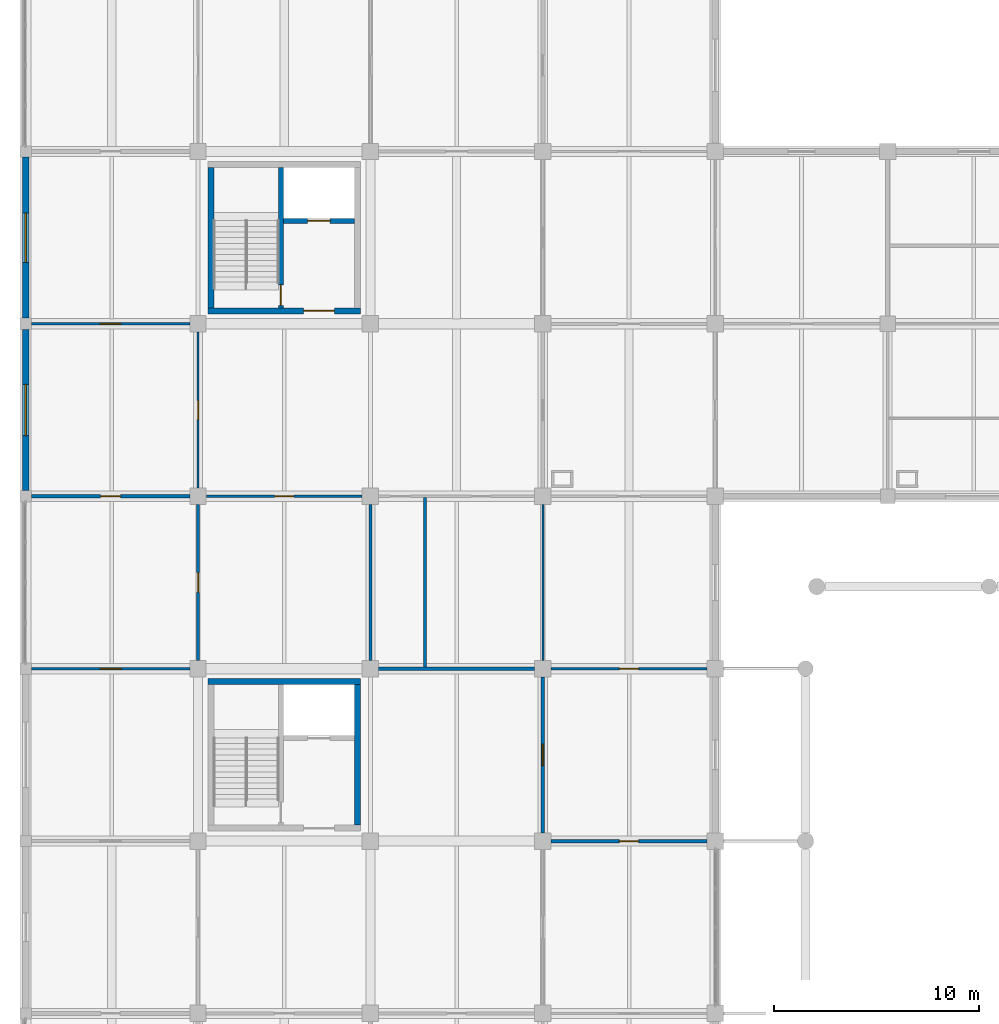
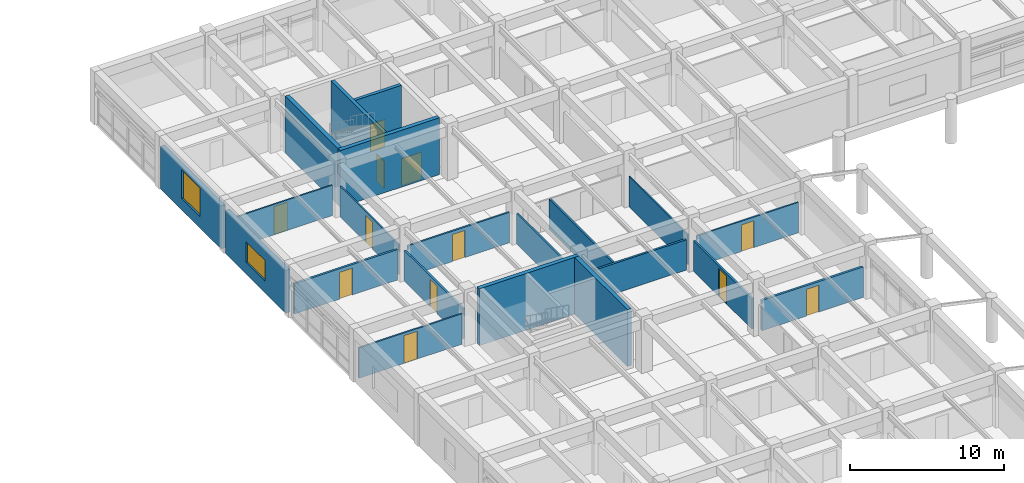
# One storey, part 81 of 99: 21 walls, 12 doors, 2 windows, 14 openings.
"""IFC4 building model written with IfcOpenShell, lengths in metres."""

from ifc_helpers import new_model, si_unit, direction, frame, frame_2d, origin, place, context, subcontext, project, spatial, rectangle, extrude, material, layer, layer_set, type_object, element, fill, save


model = new_model("IFC4")

# Units and contexts
model_context = context("Model", 3, precision=1e-05, world=origin(), true_north=direction((0.0, 1.0)))
body_context = subcontext(model_context, "Body", "Model", "MODEL_VIEW")
ifc_project = project(units=[si_unit("LENGTHUNIT", "METRE"), si_unit("AREAUNIT", "SQUARE_METRE"), si_unit("VOLUMEUNIT", "CUBIC_METRE"), si_unit("PLANEANGLEUNIT", "RADIAN"), si_unit("MASSUNIT", "GRAM", prefix="KILO")], contexts=[model_context])

# Site, building, storey
site_placement = place(None, origin())
site = spatial("IfcSite", under=ifc_project, at=site_placement, CompositionType="ELEMENT")
building_placement = place(site_placement, origin())
building = spatial("IfcBuilding", under=site, at=building_placement, Name="Porcellanite Civic Hall", CompositionType="ELEMENT")
storey_placement = place(building_placement, frame((0.0, 0.0, 5.760009765625)))
storey = spatial("IfcBuildingStorey", under=building, at=storey_placement, Name="L01", CompositionType="ELEMENT", Elevation=5.760009765625)

# Wall, opening, door
ifc_material_1 = material(Name="Concrete N40 (40 MPa)", Category="concrete")
ifc_layer_1 = layer(ifc_material_1, 0.239990234375)
ifc_layer_set_1 = layer_set([ifc_layer_1], Name="Concrete N40 (40 MPa)")
wall_type_1 = type_object("IfcWallType", Name="CW-SH240", PredefinedType="SHEAR", material=ifc_layer_set_1)
wall_1_placement = place(storey_placement, frame((12.43994140625, 59.580078125, 0.0), z_axis=(0.0, 0.0, 1.0), x_axis=(0.0, 1.0, 0.0)))
wall_1 = element("IfcWall", 1, at=wall_1_placement, inside=storey, type_object=wall_type_1, Name="Core divider C2 L01", PredefinedType="SHEAR", context=body_context, shape_type="SweptSolid", body=[
    extrude(rectangle(XDim=6.83984375, YDim=0.239990234375, at=frame_2d((3.419921875, 0.0))), origin(), (0.0, 0.0, 1.0), 4.5),
])
opening_1_placement = place(wall_1_placement, frame((0.1201171875, 0.0, 0.0)))
opening_1 = element("IfcOpeningElement", 2, at=opening_1_placement, cuts=wall_1, Name="Opening FD-C2-L01-ST", PredefinedType="OPENING", context=body_context, shape_type="SweptSolid", body=[
    extrude(rectangle(XDim=1.0, YDim=2.14990234375, at=frame_2d((0.5, 1.074951171875))), frame((0.0, 0.1201171875, 0.0), z_axis=(0.0, -1.0, 0.0), x_axis=(1.0, 0.0, 0.0)), (0.0, 0.0, 1.0), 0.239990234375),
])
ifc_material_2 = material(Name="Fire-rated solid-core hardwood timber", Category="wood")
door_type_1 = type_object("IfcDoorType", Name="DR-FD100", OperationType="NOTDEFINED", PredefinedType="DOOR", material=ifc_material_2)
door_1_placement = place(opening_1_placement, origin())
door_1 = element("IfcDoor", 3, at=door_1_placement, inside=storey, type_object=door_type_1, Name="Fire stair door FD-C2-L01-ST", OperationType="SINGLE_SWING_LEFT", OverallHeight=2.14990234375, OverallWidth=1.0, PredefinedType="DOOR", context=body_context, shape_type="SweptSolid", body=[
    extrude(rectangle(XDim=1.0, YDim=2.14990234375, at=frame_2d((0.5, 1.074951171875))), frame((0.0, 0.02490234375, 0.0), z_axis=(0.0, -1.0, 0.0), x_axis=(1.0, 0.0, 0.0)), (0.0, 0.0, 1.0), 0.050048828125),
])
fill(opening_1, door_1)

wall_2_placement = place(storey_placement, frame((12.56005859375, 63.820068359375, 0.0), z_axis=(0.0, 0.0, 1.0), x_axis=(1.0, 0.0, 0.0)))
wall_2 = element("IfcWall", 4, at=wall_2_placement, inside=storey, type_object=wall_type_1, Name="Lift shaft wall C2 L01", PredefinedType="SHEAR", context=body_context, shape_type="SweptSolid", body=[
    extrude(rectangle(XDim=3.4599609375, YDim=0.239990234375, at=frame_2d((1.72998046875, 0.0))), origin(), (0.0, 0.0, 1.0), 4.5),
])
opening_2_placement = place(wall_2_placement, frame((1.179931640625, 0.0, 0.0)))
opening_2 = element("IfcOpeningElement", 5, at=opening_2_placement, cuts=wall_2, Name="Opening LD-04", PredefinedType="OPENING", context=body_context, shape_type="SweptSolid", body=[
    extrude(rectangle(XDim=1.10009765625, YDim=2.14990234375, at=frame_2d((0.550048828125, 1.074951171875))), frame((0.0, 0.1201171875, 0.0), z_axis=(0.0, -1.0, 0.0), x_axis=(1.0, 0.0, 0.0)), (0.0, 0.0, 1.0), 0.239990234375),
])
ifc_material_3 = material(Name="Brushed stainless steel 316", Category="steel")
door_type_2 = type_object("IfcDoorType", Name="DR-LD110", OperationType="DOUBLE_DOOR_SLIDING", PredefinedType="DOOR", material=ifc_material_3)
door_2_placement = place(opening_2_placement, origin())
door_2 = element("IfcDoor", 6, at=door_2_placement, inside=storey, type_object=door_type_2, Name="Lift landing sliding door LD-04 L01", OperationType="DOUBLE_DOOR_SLIDING", OverallHeight=2.14990234375, OverallWidth=1.10009765625, PredefinedType="DOOR", context=body_context, shape_type="SweptSolid", body=[
    extrude(rectangle(XDim=1.10009765625, YDim=2.14990234375, at=frame_2d((0.550048828125, 1.074951171875))), frame((0.0, 0.02490234375, 0.0), z_axis=(0.0, -1.0, 0.0), x_axis=(1.0, 0.0, 0.0)), (0.0, 0.0, 1.0), 0.050048828125),
])
fill(opening_2, door_2)

# Walls
ifc_material_4 = material(Name="Concrete N40 (40 MPa)", Category="concrete")
ifc_layer_2 = layer(ifc_material_4, 0.300048828125)
ifc_layer_set_2 = layer_set([ifc_layer_2], Name="Concrete N40 (40 MPa)")
wall_type_2 = type_object("IfcWallType", Name="CW-SH300", PredefinedType="SHEAR", material=ifc_layer_set_2)
wall_3_placement = place(storey_placement, frame((8.8798828125, 41.3701171875, 0.0), z_axis=(0.0, 0.0, 1.0), x_axis=(1.0, 0.0, 0.0)))
element("IfcWall", 7, at=wall_3_placement, inside=storey, type_object=wall_type_2, Name="Core wall C1 L01 N", PredefinedType="SHEAR", context=body_context, shape_type="SweptSolid", body=[
    extrude(rectangle(XDim=7.440185546875, YDim=0.300048828125, at=frame_2d((3.72021484375, 0.0))), origin(), (0.0, 0.0, 1.0), 4.5),
])
wall_4_placement = place(storey_placement, frame((16.169921875, 41.219970703125, 0.0), z_axis=(0.0, 0.0, 1.0), x_axis=(0.0, -1.0, 0.0)))
element("IfcWall", 8, at=wall_4_placement, inside=storey, type_object=wall_type_2, Name="Core wall C1 L01 E", PredefinedType="SHEAR", context=body_context, shape_type="SweptSolid", body=[
    extrude(rectangle(XDim=6.840087890625, YDim=0.300048828125, at=frame_2d((3.419921875, 0.0))), origin(), (0.0, 0.0, 1.0), 4.5),
])

# Wall, opening, door
wall_5_placement = place(storey_placement, frame((16.320068359375, 59.429931640625, 0.0), z_axis=(0.0, 0.0, 1.0), x_axis=(-1.0, 0.0, 0.0)))
wall_5 = element("IfcWall", 9, at=wall_5_placement, inside=storey, type_object=wall_type_2, Name="Core wall C2 L01 S", PredefinedType="SHEAR", context=body_context, shape_type="SweptSolid", body=[
    extrude(rectangle(XDim=7.440185546875, YDim=0.300048828125, at=frame_2d((3.72021484375, 0.0))), origin(), (0.0, 0.0, 1.0), 4.5),
])
opening_3_placement = place(wall_5_placement, frame((1.280029296875, 0.0, 0.0)))
opening_3 = element("IfcOpeningElement", 10, at=opening_3_placement, cuts=wall_5, Name="Opening FD-C2-L01-LB", PredefinedType="OPENING", context=body_context, shape_type="SweptSolid", body=[
    extrude(rectangle(XDim=1.5, YDim=2.14990234375, at=frame_2d((0.75, 1.074951171875))), frame((0.0, 0.14990234375, 0.0), z_axis=(0.0, -1.0, 0.0), x_axis=(1.0, 0.0, 0.0)), (0.0, 0.0, 1.0), 0.300048828125),
])
ifc_material_5 = material(Name="Fire-rated steel and Georgian wired glass", Category="steel")
door_type_3 = type_object("IfcDoorType", Name="DR-FD150", OperationType="DOUBLE_DOOR_SINGLE_SWING", PredefinedType="DOOR", material=ifc_material_5)
door_3_placement = place(opening_3_placement, origin())
door_3 = element("IfcDoor", 11, at=door_3_placement, inside=storey, type_object=door_type_3, Name="Fire lobby double door FD-C2-L01-LB", OperationType="DOUBLE_DOOR_SINGLE_SWING", OverallHeight=2.14990234375, OverallWidth=1.5, PredefinedType="DOOR", context=body_context, shape_type="SweptSolid", body=[
    extrude(rectangle(XDim=1.5, YDim=2.14990234375, at=frame_2d((0.75, 1.074951171875))), frame((0.0, 0.02490234375, 0.0), z_axis=(0.0, -1.0, 0.0), x_axis=(1.0, 0.0, 0.0)), (0.0, 0.0, 1.0), 0.050048828125),
])
fill(opening_3, door_3)

# Wall
wall_6_placement = place(storey_placement, frame((9.030029296875, 59.580078125, 0.0), z_axis=(0.0, 0.0, 1.0), x_axis=(0.0, 1.0, 0.0)))
element("IfcWall", 12, at=wall_6_placement, inside=storey, type_object=wall_type_2, Name="Core wall C2 L01 W", PredefinedType="SHEAR", context=body_context, shape_type="SweptSolid", body=[
    extrude(rectangle(XDim=6.83984375, YDim=0.300048828125, at=frame_2d((3.419921875, 0.0))), origin(), (0.0, 0.0, 1.0), 4.5),
])

# Wall, opening, window
ifc_material_6 = material(Name="Precast concrete N40 (40 MPa)", Category="concrete")
ifc_layer_3 = layer(ifc_material_6, 0.320068359375)
ifc_layer_set_3 = layer_set([ifc_layer_3], Name="Precast concrete N40 (40 MPa)")
wall_type_3 = type_object("IfcWallType", Name="EW-COM320", PredefinedType="SOLIDWALL", material=ifc_layer_set_3)
wall_7_placement = place(storey_placement, frame((0.0, 50.676025390625, 0.0), z_axis=(0.0, 0.0, 1.0), x_axis=(0.0, 1.0, 0.0)))
wall_7 = element("IfcWall", 13, at=wall_7_placement, inside=storey, type_object=wall_type_3, Name="Exterior wall L01 W 1-7", PredefinedType="SOLIDWALL", context=body_context, shape_type="SweptSolid", body=[
    extrude(rectangle(XDim=7.847900390625, YDim=0.320068359375, at=frame_2d((3.923828125, 0.0))), origin(), (0.0, 0.0, 1.0), 3.39990234375),
])
opening_4_placement = place(wall_7_placement, frame((2.674072265625, 0.0, 0.89990234375)))
opening_4 = element("IfcOpeningElement", 14, at=opening_4_placement, cuts=wall_7, Name="Opening W18", PredefinedType="OPENING", context=body_context, shape_type="SweptSolid", body=[
    extrude(rectangle(XDim=2.5, YDim=1.64990234375, at=frame_2d((1.25, 0.824951171875))), frame((0.0, 0.16015625, 0.0), z_axis=(0.0, -1.0, 0.0), x_axis=(1.0, 0.0, 0.0)), (0.0, 0.0, 1.0), 0.320068359375),
])
ifc_material_7 = material(Name="Cyclone laminated low-E glazing in anodised aluminium frame", Category="aluminium")
window_type_1 = type_object("IfcWindowType", Name="WN-18", PartitioningType="DOUBLE_PANEL_VERTICAL", PredefinedType="WINDOW", material=ifc_material_7)
window_1_placement = place(opening_4_placement, origin())
window_1 = element("IfcWindow", 15, at=window_1_placement, inside=storey, type_object=window_type_1, Name="Window W18 L01 W 1-7", OverallHeight=1.64990234375, OverallWidth=2.5, PartitioningType="SINGLE_PANEL", PredefinedType="WINDOW", context=body_context, shape_type="SweptSolid", body=[
    extrude(rectangle(XDim=2.5, YDim=1.64990234375, at=frame_2d((1.25, 0.824951171875))), frame((0.0, 0.030029296875, 0.0), z_axis=(0.0, -1.0, 0.0), x_axis=(1.0, 0.0, 0.0)), (0.0, 0.0, 1.0), 0.06005859375),
])
fill(opening_4, window_1)

wall_8_placement = place(storey_placement, frame((0.0, 59.075927734375, 0.0), z_axis=(0.0, 0.0, 1.0), x_axis=(0.0, 1.0, 0.0)))
wall_8 = element("IfcWall", 16, at=wall_8_placement, inside=storey, type_object=wall_type_3, Name="Exterior wall L01 W 1-8", PredefinedType="SOLIDWALL", context=body_context, shape_type="SweptSolid", body=[
    extrude(rectangle(XDim=7.84814453125, YDim=0.320068359375, at=frame_2d((3.924072265625, 0.0))), origin(), (0.0, 0.0, 1.0), 3.39990234375),
])
opening_5_placement = place(wall_8_placement, frame((2.72412109375, 0.0, 0.89990234375)))
opening_5 = element("IfcOpeningElement", 17, at=opening_5_placement, cuts=wall_8, Name="Opening W19", PredefinedType="OPENING", context=body_context, shape_type="SweptSolid", body=[
    extrude(rectangle(XDim=2.39990234375, YDim=2.25, at=frame_2d((1.199951171875, 1.125))), frame((0.0, 0.16015625, 0.0), z_axis=(0.0, -1.0, 0.0), x_axis=(1.0, 0.0, 0.0)), (0.0, 0.0, 1.0), 0.320068359375),
])
ifc_material_8 = material(Name="Cyclone laminated low-E glazing in anodised aluminium frame", Category="aluminium")
window_type_2 = type_object("IfcWindowType", Name="WN-19", PartitioningType="TRIPLE_PANEL_VERTICAL", PredefinedType="WINDOW", material=ifc_material_8)
window_2_placement = place(opening_5_placement, origin())
window_2 = element("IfcWindow", 18, at=window_2_placement, inside=storey, type_object=window_type_2, Name="Window W19 L01 W 1-8", OverallHeight=2.25, OverallWidth=2.39990234375, PartitioningType="SINGLE_PANEL", PredefinedType="WINDOW", context=body_context, shape_type="SweptSolid", body=[
    extrude(rectangle(XDim=2.39990234375, YDim=2.25, at=frame_2d((1.199951171875, 1.125))), frame((0.0, 0.030029296875, 0.0), z_axis=(0.0, -1.0, 0.0), x_axis=(1.0, 0.0, 0.0)), (0.0, 0.0, 1.0), 0.06005859375),
])
fill(opening_5, window_2)

# Wall
ifc_material_9 = material(Name="Insulated acoustic plasterboard on light-gauge steel studs", Category="steel")
ifc_layer_4 = layer(ifc_material_9, 0.10498046875)
ifc_layer_set_4 = layer_set([ifc_layer_4], Name="Insulated acoustic plasterboard on light-gauge steel studs")
wall_type_4 = type_object("IfcWallType", Name="IW-PT105", PredefinedType="PARTITIONING", material=ifc_layer_set_4)
wall_9_placement = place(storey_placement, frame((25.199951171875, 42.402099609375, 0.0), z_axis=(0.0, 0.0, 1.0), x_axis=(0.0, 1.0, 0.0)))
element("IfcWall", 19, at=wall_9_placement, inside=storey, type_object=wall_type_4, Name="Partition L01 V 3-6", PredefinedType="PARTITIONING", context=body_context, shape_type="SweptSolid", body=[
    extrude(rectangle(XDim=7.595947265625, YDim=0.10498046875, at=frame_2d((3.7978515625, 0.0))), origin(), (0.0, 0.0, 1.0), 2.39990234375),
])

# Wall, opening, door
ifc_material_10 = material(Name="Insulated acoustic plasterboard on light-gauge steel studs", Category="steel")
ifc_layer_5 = layer(ifc_material_10, 0.114990234375)
ifc_layer_set_5 = layer_set([ifc_layer_5], Name="Insulated acoustic plasterboard on light-gauge steel studs")
wall_type_5 = type_object("IfcWallType", Name="IW-PT115", PredefinedType="PARTITIONING", material=ifc_layer_set_5)
wall_10_placement = place(storey_placement, frame((0.277099609375, 58.800048828125, 0.0), z_axis=(0.0, 0.0, 1.0), x_axis=(1.0, 0.0, 0.0)))
wall_10 = element("IfcWall", 20, at=wall_10_placement, inside=storey, type_object=wall_type_5, Name="Partition L01 H 1-7", PredefinedType="PARTITIONING", context=body_context, shape_type="SweptSolid", body=[
    extrude(rectangle(XDim=7.720947265625, YDim=0.114990234375, at=frame_2d((3.8603515625, 0.0))), origin(), (0.0, 0.0, 1.0), 2.39990234375),
])
opening_6_placement = place(wall_10_placement, frame((3.361083984375, 0.0, 0.0)))
opening_6 = element("IfcOpeningElement", 21, at=opening_6_placement, cuts=wall_10, Name="Opening D-L01-225", PredefinedType="OPENING", context=body_context, shape_type="SweptSolid", body=[
    extrude(rectangle(XDim=1.0, YDim=2.199951171875, at=frame_2d((0.5, 1.10009765625))), frame((0.0, 0.0576171875, 0.0), z_axis=(0.0, -1.0, 0.0), x_axis=(1.0, 0.0, 0.0)), (0.0, 0.0, 1.0), 0.114990234375),
])
ifc_material_11 = material(Name="Solid-core spotted-gum timber", Category="wood")
door_type_4 = type_object("IfcDoorType", Name="DR-RM100", OperationType="NOTDEFINED", PredefinedType="DOOR", material=ifc_material_11)
door_4_placement = place(opening_6_placement, origin())
door_4 = element("IfcDoor", 22, at=door_4_placement, inside=storey, type_object=door_type_4, Name="Interior door D-L01-225", OperationType="SINGLE_SWING_LEFT", OverallHeight=2.199951171875, OverallWidth=1.0, PredefinedType="DOOR", context=body_context, shape_type="SweptSolid", body=[
    extrude(rectangle(XDim=1.0, YDim=2.199951171875, at=frame_2d((0.5, 1.10009765625))), frame((0.0, 0.02490234375, 0.0), z_axis=(0.0, -1.0, 0.0), x_axis=(1.0, 0.0, 0.0)), (0.0, 0.0, 1.0), 0.050048828125),
])
fill(opening_6, door_4)

wall_11_placement = place(storey_placement, frame((8.39990234375, 50.802001953125, 0.0), z_axis=(0.0, 0.0, 1.0), x_axis=(0.0, 1.0, 0.0)))
wall_11 = element("IfcWall", 23, at=wall_11_placement, inside=storey, type_object=wall_type_5, Name="Partition L01 V 1-7", PredefinedType="PARTITIONING", context=body_context, shape_type="SweptSolid", body=[
    extrude(rectangle(XDim=7.595947265625, YDim=0.114990234375, at=frame_2d((3.7978515625, 0.0))), origin(), (0.0, 0.0, 1.0), 2.39990234375),
])
opening_7_placement = place(wall_11_placement, frame((3.3330078125, 0.0, 0.0)))
opening_7 = element("IfcOpeningElement", 24, at=opening_7_placement, cuts=wall_11, Name="Opening D-L01-207", PredefinedType="OPENING", context=body_context, shape_type="SweptSolid", body=[
    extrude(rectangle(XDim=0.929931640625, YDim=2.1201171875, at=frame_2d((0.46484375, 1.06005859375))), frame((0.0, 0.0576171875, 0.0), z_axis=(0.0, -1.0, 0.0), x_axis=(1.0, 0.0, 0.0)), (0.0, 0.0, 1.0), 0.114990234375),
])
ifc_material_12 = material(Name="Solid-core spotted-gum timber", Category="wood")
door_type_5 = type_object("IfcDoorType", Name="DR-RM093", OperationType="NOTDEFINED", PredefinedType="DOOR", material=ifc_material_12)
door_5_placement = place(opening_7_placement, origin())
door_5 = element("IfcDoor", 25, at=door_5_placement, inside=storey, type_object=door_type_5, Name="Interior door D-L01-207", OperationType="SINGLE_SWING_LEFT", OverallHeight=2.1201171875, OverallWidth=0.929931640625, PredefinedType="DOOR", context=body_context, shape_type="SweptSolid", body=[
    extrude(rectangle(XDim=0.929931640625, YDim=2.1201171875, at=frame_2d((0.46484375, 1.06005859375))), frame((0.0, 0.02490234375, 0.0), z_axis=(0.0, -1.0, 0.0), x_axis=(1.0, 0.0, 0.0)), (0.0, 0.0, 1.0), 0.050048828125),
])
fill(opening_7, door_5)

ifc_material_13 = material(Name="Insulated acoustic plasterboard on light-gauge steel studs", Category="steel")
ifc_layer_6 = layer(ifc_material_13, 0.125)
ifc_layer_set_6 = layer_set([ifc_layer_6], Name="Insulated acoustic plasterboard on light-gauge steel studs")
wall_type_6 = type_object("IfcWallType", Name="IW-PT125", PredefinedType="PARTITIONING", material=ifc_layer_set_6)
wall_12_placement = place(storey_placement, frame((25.60205078125, 42.0, 0.0), z_axis=(0.0, 0.0, 1.0), x_axis=(1.0, 0.0, 0.0)))
wall_12 = element("IfcWall", 26, at=wall_12_placement, inside=storey, type_object=wall_type_6, Name="Partition L01 H 4-5", PredefinedType="PARTITIONING", context=body_context, shape_type="SweptSolid", body=[
    extrude(rectangle(XDim=7.595947265625, YDim=0.125, at=frame_2d((3.7978515625, 0.0))), origin(), (0.0, 0.0, 1.0), 2.39990234375),
])
opening_8_placement = place(wall_12_placement, frame((3.3330078125, 0.0, 0.0)))
opening_8 = element("IfcOpeningElement", 27, at=opening_8_placement, cuts=wall_12, Name="Opening D-L01-233", PredefinedType="OPENING", context=body_context, shape_type="SweptSolid", body=[
    extrude(rectangle(XDim=0.929931640625, YDim=2.1201171875, at=frame_2d((0.46484375, 1.06005859375))), frame((0.0, 0.0625, 0.0), z_axis=(0.0, -1.0, 0.0), x_axis=(1.0, 0.0, 0.0)), (0.0, 0.0, 1.0), 0.125),
])
door_6_placement = place(opening_8_placement, origin())
door_6 = element("IfcDoor", 28, at=door_6_placement, inside=storey, type_object=door_type_5, Name="Interior door D-L01-233", OperationType="SINGLE_SWING_LEFT", OverallHeight=2.1201171875, OverallWidth=0.929931640625, PredefinedType="DOOR", context=body_context, shape_type="SweptSolid", body=[
    extrude(rectangle(XDim=0.929931640625, YDim=2.1201171875, at=frame_2d((0.46484375, 1.06005859375))), frame((0.0, 0.02490234375, 0.0), z_axis=(0.0, -1.0, 0.0), x_axis=(1.0, 0.0, 0.0)), (0.0, 0.0, 1.0), 0.050048828125),
])
fill(opening_8, door_6)

ifc_material_14 = material(Name="Insulated acoustic plasterboard on light-gauge steel studs", Category="steel")
ifc_layer_7 = layer(ifc_material_14, 0.135009765625)
ifc_layer_set_7 = layer_set([ifc_layer_7], Name="Insulated acoustic plasterboard on light-gauge steel studs")
wall_type_7 = type_object("IfcWallType", Name="IW-PT135", PredefinedType="PARTITIONING", material=ifc_layer_set_7)
wall_13_placement = place(storey_placement, frame((8.802001953125, 50.39990234375, 0.0), z_axis=(0.0, 0.0, 1.0), x_axis=(1.0, 0.0, 0.0)))
wall_13 = element("IfcWall", 29, at=wall_13_placement, inside=storey, type_object=wall_type_7, Name="Partition L01 H 2-6", PredefinedType="PARTITIONING", context=body_context, shape_type="SweptSolid", body=[
    extrude(rectangle(XDim=7.595947265625, YDim=0.135009765625, at=frame_2d((3.7978515625, 0.0))), origin(), (0.0, 0.0, 1.0), 2.39990234375),
])
opening_9_placement = place(wall_13_placement, frame((3.327880859375, 0.0, 0.0)))
opening_9 = element("IfcOpeningElement", 30, at=opening_9_placement, cuts=wall_13, Name="Opening D-L01-189", PredefinedType="OPENING", context=body_context, shape_type="SweptSolid", body=[
    extrude(rectangle(XDim=0.93994140625, YDim=2.14990234375, at=frame_2d((0.469970703125, 1.074951171875))), frame((0.0, 0.0673828125, 0.0), z_axis=(0.0, -1.0, 0.0), x_axis=(1.0, 0.0, 0.0)), (0.0, 0.0, 1.0), 0.135009765625),
])
ifc_material_15 = material(Name="Solid-core spotted-gum timber", Category="wood")
door_type_6 = type_object("IfcDoorType", Name="DR-RM094", OperationType="NOTDEFINED", PredefinedType="DOOR", material=ifc_material_15)
door_7_placement = place(opening_9_placement, origin())
door_7 = element("IfcDoor", 31, at=door_7_placement, inside=storey, type_object=door_type_6, Name="Interior door D-L01-189", OperationType="SINGLE_SWING_LEFT", OverallHeight=2.14990234375, OverallWidth=0.93994140625, PredefinedType="DOOR", context=body_context, shape_type="SweptSolid", body=[
    extrude(rectangle(XDim=0.93994140625, YDim=2.14990234375, at=frame_2d((0.469970703125, 1.074951171875))), frame((0.0, 0.02490234375, 0.0), z_axis=(0.0, -1.0, 0.0), x_axis=(1.0, 0.0, 0.0)), (0.0, 0.0, 1.0), 0.050048828125),
])
fill(opening_9, door_7)

# Walls
wall_14_placement = place(storey_placement, frame((16.800048828125, 42.402099609375, 0.0), z_axis=(0.0, 0.0, 1.0), x_axis=(0.0, 1.0, 0.0)))
element("IfcWall", 32, at=wall_14_placement, inside=storey, type_object=wall_type_7, Name="Partition L01 V 2-6", PredefinedType="PARTITIONING", context=body_context, shape_type="SweptSolid", body=[
    extrude(rectangle(XDim=7.595947265625, YDim=0.135009765625, at=frame_2d((3.7978515625, 0.0))), origin(), (0.0, 0.0, 1.0), 2.39990234375),
])
ifc_material_16 = material(Name="Insulated acoustic plasterboard on light-gauge steel studs", Category="steel")
ifc_layer_8 = layer(ifc_material_16, 0.14501953125)
ifc_layer_set_8 = layer_set([ifc_layer_8], Name="Insulated acoustic plasterboard on light-gauge steel studs")
wall_type_8 = type_object("IfcWallType", Name="IW-PT145", PredefinedType="PARTITIONING", material=ifc_layer_set_8)
wall_15_placement = place(storey_placement, frame((19.449951171875, 42.07958984375, 0.0), z_axis=(0.0, 0.0, 1.0), x_axis=(0.0, 1.0, 0.0)))
element("IfcWall", 33, at=wall_15_placement, inside=storey, type_object=wall_type_8, Name="Partition L01 sub 3-6", PredefinedType="PARTITIONING", context=body_context, shape_type="SweptSolid", body=[
    extrude(rectangle(XDim=8.265869140625, YDim=0.14501953125, at=frame_2d((4.1328125, 0.0))), origin(), (0.0, 0.0, 1.0), 2.39990234375),
])
ifc_material_17 = material(Name="Insulated acoustic plasterboard on light-gauge steel studs", Category="steel")
ifc_layer_9 = layer(ifc_material_17, 0.155029296875)
ifc_layer_set_9 = layer_set([ifc_layer_9], Name="Insulated acoustic plasterboard on light-gauge steel studs")
wall_type_9 = type_object("IfcWallType", Name="IW-PT155", PredefinedType="PARTITIONING", material=ifc_layer_set_9)
wall_16_placement = place(storey_placement, frame((17.201904296875, 42.0, 0.0), z_axis=(0.0, 0.0, 1.0), x_axis=(1.0, 0.0, 0.0)))
element("IfcWall", 34, at=wall_16_placement, inside=storey, type_object=wall_type_9, Name="Partition L01 H 3-5", PredefinedType="PARTITIONING", context=body_context, shape_type="SweptSolid", body=[
    extrude(rectangle(XDim=7.59619140625, YDim=0.155029296875, at=frame_2d((3.798095703125, 0.0))), origin(), (0.0, 0.0, 1.0), 2.39990234375),
])

# Wall, opening, door
wall_17_placement = place(storey_placement, frame((25.199951171875, 34.001953125, 0.0), z_axis=(0.0, 0.0, 1.0), x_axis=(0.0, 1.0, 0.0)))
wall_17 = element("IfcWall", 35, at=wall_17_placement, inside=storey, type_object=wall_type_9, Name="Partition L01 V 3-5", PredefinedType="PARTITIONING", context=body_context, shape_type="SweptSolid", body=[
    extrude(rectangle(XDim=7.595947265625, YDim=0.155029296875, at=frame_2d((3.7978515625, 0.0))), origin(), (0.0, 0.0, 1.0), 2.39990234375),
])
opening_10_placement = place(wall_17_placement, frame((3.278076171875, 0.0, 0.0)))
opening_10 = element("IfcOpeningElement", 36, at=opening_10_placement, cuts=wall_17, Name="Opening D-L01-210", PredefinedType="OPENING", context=body_context, shape_type="SweptSolid", body=[
    extrude(rectangle(XDim=1.0400390625, YDim=2.199951171875, at=frame_2d((0.52001953125, 1.10009765625))), frame((0.0, 0.07763671875, 0.0), z_axis=(0.0, -1.0, 0.0), x_axis=(1.0, 0.0, 0.0)), (0.0, 0.0, 1.0), 0.155029296875),
])
ifc_material_18 = material(Name="Solid-core spotted-gum timber", Category="wood")
door_type_7 = type_object("IfcDoorType", Name="DR-RM104", OperationType="NOTDEFINED", PredefinedType="DOOR", material=ifc_material_18)
door_8_placement = place(opening_10_placement, origin())
door_8 = element("IfcDoor", 37, at=door_8_placement, inside=storey, type_object=door_type_7, Name="Interior door D-L01-210", OperationType="SINGLE_SWING_RIGHT", OverallHeight=2.199951171875, OverallWidth=1.0400390625, PredefinedType="DOOR", context=body_context, shape_type="SweptSolid", body=[
    extrude(rectangle(XDim=1.0400390625, YDim=2.199951171875, at=frame_2d((0.52001953125, 1.10009765625))), frame((0.0, 0.02490234375, 0.0), z_axis=(0.0, -1.0, 0.0), x_axis=(1.0, 0.0, 0.0)), (0.0, 0.0, 1.0), 0.050048828125),
])
fill(opening_10, door_8)

ifc_material_19 = material(Name="Insulated acoustic plasterboard on light-gauge steel studs", Category="steel")
ifc_layer_10 = layer(ifc_material_19, 0.1650390625)
ifc_layer_set_10 = layer_set([ifc_layer_10], Name="Insulated acoustic plasterboard on light-gauge steel studs")
wall_type_10 = type_object("IfcWallType", Name="IW-PT165", PredefinedType="PARTITIONING", material=ifc_layer_set_10)
wall_18_placement = place(storey_placement, frame((0.277099609375, 50.39990234375, 0.0), z_axis=(0.0, 0.0, 1.0), x_axis=(1.0, 0.0, 0.0)))
wall_18 = element("IfcWall", 38, at=wall_18_placement, inside=storey, type_object=wall_type_10, Name="Partition L01 H 1-6", PredefinedType="PARTITIONING", context=body_context, shape_type="SweptSolid", body=[
    extrude(rectangle(XDim=7.720947265625, YDim=0.1650390625, at=frame_2d((3.8603515625, 0.0))), origin(), (0.0, 0.0, 1.0), 2.39990234375),
])
opening_11_placement = place(wall_18_placement, frame((3.3759765625, 0.0, 0.0)))
opening_11 = element("IfcOpeningElement", 39, at=opening_11_placement, cuts=wall_18, Name="Opening D-L01-271", PredefinedType="OPENING", context=body_context, shape_type="SweptSolid", body=[
    extrude(rectangle(XDim=0.969970703125, YDim=2.1201171875, at=frame_2d((0.48486328125, 1.06005859375))), frame((0.0, 0.08251953125, 0.0), z_axis=(0.0, -1.0, 0.0), x_axis=(1.0, 0.0, 0.0)), (0.0, 0.0, 1.0), 0.1650390625),
])
ifc_material_20 = material(Name="Solid-core spotted-gum timber", Category="wood")
door_type_8 = type_object("IfcDoorType", Name="DR-RM097", OperationType="NOTDEFINED", PredefinedType="DOOR", material=ifc_material_20)
door_9_placement = place(opening_11_placement, origin())
door_9 = element("IfcDoor", 40, at=door_9_placement, inside=storey, type_object=door_type_8, Name="Interior door D-L01-271", OperationType="SINGLE_SWING_LEFT", OverallHeight=2.1201171875, OverallWidth=0.969970703125, PredefinedType="DOOR", context=body_context, shape_type="SweptSolid", body=[
    extrude(rectangle(XDim=0.969970703125, YDim=2.1201171875, at=frame_2d((0.48486328125, 1.06005859375))), frame((0.0, 0.02490234375, 0.0), z_axis=(0.0, -1.0, 0.0), x_axis=(1.0, 0.0, 0.0)), (0.0, 0.0, 1.0), 0.050048828125),
])
fill(opening_11, door_9)

wall_19_placement = place(storey_placement, frame((8.39990234375, 42.402099609375, 0.0), z_axis=(0.0, 0.0, 1.0), x_axis=(0.0, 1.0, 0.0)))
wall_19 = element("IfcWall", 41, at=wall_19_placement, inside=storey, type_object=wall_type_10, Name="Partition L01 V 1-6", PredefinedType="PARTITIONING", context=body_context, shape_type="SweptSolid", body=[
    extrude(rectangle(XDim=7.595947265625, YDim=0.1650390625, at=frame_2d((3.7978515625, 0.0))), origin(), (0.0, 0.0, 1.0), 2.39990234375),
])
opening_12_placement = place(wall_19_placement, frame((3.318115234375, 0.0, 0.0)))
opening_12 = element("IfcOpeningElement", 42, at=opening_12_placement, cuts=wall_19, Name="Opening D-L01-279", PredefinedType="OPENING", context=body_context, shape_type="SweptSolid", body=[
    extrude(rectangle(XDim=0.9599609375, YDim=2.179931640625, at=frame_2d((0.47998046875, 1.08984375))), frame((0.0, 0.08251953125, 0.0), z_axis=(0.0, -1.0, 0.0), x_axis=(1.0, 0.0, 0.0)), (0.0, 0.0, 1.0), 0.1650390625),
])
ifc_material_21 = material(Name="Solid-core spotted-gum timber", Category="wood")
door_type_9 = type_object("IfcDoorType", Name="DR-RM096", OperationType="NOTDEFINED", PredefinedType="DOOR", material=ifc_material_21)
door_10_placement = place(opening_12_placement, origin())
door_10 = element("IfcDoor", 43, at=door_10_placement, inside=storey, type_object=door_type_9, Name="Interior door D-L01-279", OperationType="SINGLE_SWING_LEFT", OverallHeight=2.179931640625, OverallWidth=0.9599609375, PredefinedType="DOOR", context=body_context, shape_type="SweptSolid", body=[
    extrude(rectangle(XDim=0.9599609375, YDim=2.179931640625, at=frame_2d((0.47998046875, 1.08984375))), frame((0.0, 0.02490234375, 0.0), z_axis=(0.0, -1.0, 0.0), x_axis=(1.0, 0.0, 0.0)), (0.0, 0.0, 1.0), 0.050048828125),
])
fill(opening_12, door_10)

ifc_material_22 = material(Name="Insulated acoustic plasterboard on light-gauge steel studs", Category="steel")
ifc_layer_11 = layer(ifc_material_22, 0.175048828125)
ifc_layer_set_11 = layer_set([ifc_layer_11], Name="Insulated acoustic plasterboard on light-gauge steel studs")
wall_type_11 = type_object("IfcWallType", Name="IW-PT175", PredefinedType="PARTITIONING", material=ifc_layer_set_11)
wall_20_placement = place(storey_placement, frame((25.60205078125, 33.60009765625, 0.0), z_axis=(0.0, 0.0, 1.0), x_axis=(1.0, 0.0, 0.0)))
wall_20 = element("IfcWall", 44, at=wall_20_placement, inside=storey, type_object=wall_type_11, Name="Partition L01 H 4-4", PredefinedType="PARTITIONING", context=body_context, shape_type="SweptSolid", body=[
    extrude(rectangle(XDim=7.595947265625, YDim=0.175048828125, at=frame_2d((3.7978515625, 0.0))), origin(), (0.0, 0.0, 1.0), 2.39990234375),
])
opening_13_placement = place(wall_20_placement, frame((3.3330078125, 0.0, 0.0)))
opening_13 = element("IfcOpeningElement", 45, at=opening_13_placement, cuts=wall_20, Name="Opening D-L01-272", PredefinedType="OPENING", context=body_context, shape_type="SweptSolid", body=[
    extrude(rectangle(XDim=0.929931640625, YDim=2.1201171875, at=frame_2d((0.46484375, 1.06005859375))), frame((0.0, 0.08740234375, 0.0), z_axis=(0.0, -1.0, 0.0), x_axis=(1.0, 0.0, 0.0)), (0.0, 0.0, 1.0), 0.175048828125),
])
door_11_placement = place(opening_13_placement, origin())
door_11 = element("IfcDoor", 46, at=door_11_placement, inside=storey, type_object=door_type_5, Name="Interior door D-L01-272", OperationType="SINGLE_SWING_RIGHT", OverallHeight=2.1201171875, OverallWidth=0.929931640625, PredefinedType="DOOR", context=body_context, shape_type="SweptSolid", body=[
    extrude(rectangle(XDim=0.929931640625, YDim=2.1201171875, at=frame_2d((0.46484375, 1.06005859375))), frame((0.0, 0.02490234375, 0.0), z_axis=(0.0, -1.0, 0.0), x_axis=(1.0, 0.0, 0.0)), (0.0, 0.0, 1.0), 0.050048828125),
])
fill(opening_13, door_11)

ifc_material_23 = material(Name="Acoustic timber-veneered operable panel system", Category="wood")
ifc_layer_12 = layer(ifc_material_23, 0.1298828125)
ifc_layer_set_12 = layer_set([ifc_layer_12], Name="Acoustic timber-veneered operable panel system")
wall_type_12 = type_object("IfcWallType", Name="MW-OP130", PredefinedType="MOVABLE", material=ifc_layer_set_12)
wall_21_placement = place(storey_placement, frame((0.277099609375, 42.0, 0.0), z_axis=(0.0, 0.0, 1.0), x_axis=(1.0, 0.0, 0.0)))
wall_21 = element("IfcWall", 47, at=wall_21_placement, inside=storey, type_object=wall_type_12, Name="Partition L01 H 1-5", PredefinedType="MOVABLE", context=body_context, shape_type="SweptSolid", body=[
    extrude(rectangle(XDim=7.720947265625, YDim=0.1298828125, at=frame_2d((3.8603515625, 0.0))), origin(), (0.0, 0.0, 1.0), 2.39990234375),
])
opening_14_placement = place(wall_21_placement, frame((3.35107421875, 0.0, 0.0)))
opening_14 = element("IfcOpeningElement", 48, at=opening_14_placement, cuts=wall_21, Name="Opening D-L01-224", PredefinedType="OPENING", context=body_context, shape_type="SweptSolid", body=[
    extrude(rectangle(XDim=1.02001953125, YDim=2.199951171875, at=frame_2d((0.510009765625, 1.10009765625))), frame((0.0, 0.06494140625, 0.0), z_axis=(0.0, -1.0, 0.0), x_axis=(1.0, 0.0, 0.0)), (0.0, 0.0, 1.0), 0.1298828125),
])
ifc_material_24 = material(Name="Solid-core spotted-gum timber", Category="wood")
door_type_10 = type_object("IfcDoorType", Name="DR-RM102", OperationType="NOTDEFINED", PredefinedType="DOOR", material=ifc_material_24)
door_12_placement = place(opening_14_placement, origin())
door_12 = element("IfcDoor", 49, at=door_12_placement, inside=storey, type_object=door_type_10, Name="Interior door D-L01-224", OperationType="SINGLE_SWING_RIGHT", OverallHeight=2.199951171875, OverallWidth=1.02001953125, PredefinedType="DOOR", context=body_context, shape_type="SweptSolid", body=[
    extrude(rectangle(XDim=1.02001953125, YDim=2.199951171875, at=frame_2d((0.510009765625, 1.10009765625))), frame((0.0, 0.02490234375, 0.0), z_axis=(0.0, -1.0, 0.0), x_axis=(1.0, 0.0, 0.0)), (0.0, 0.0, 1.0), 0.050048828125),
])
fill(opening_14, door_12)

save(model, "model.ifc")
